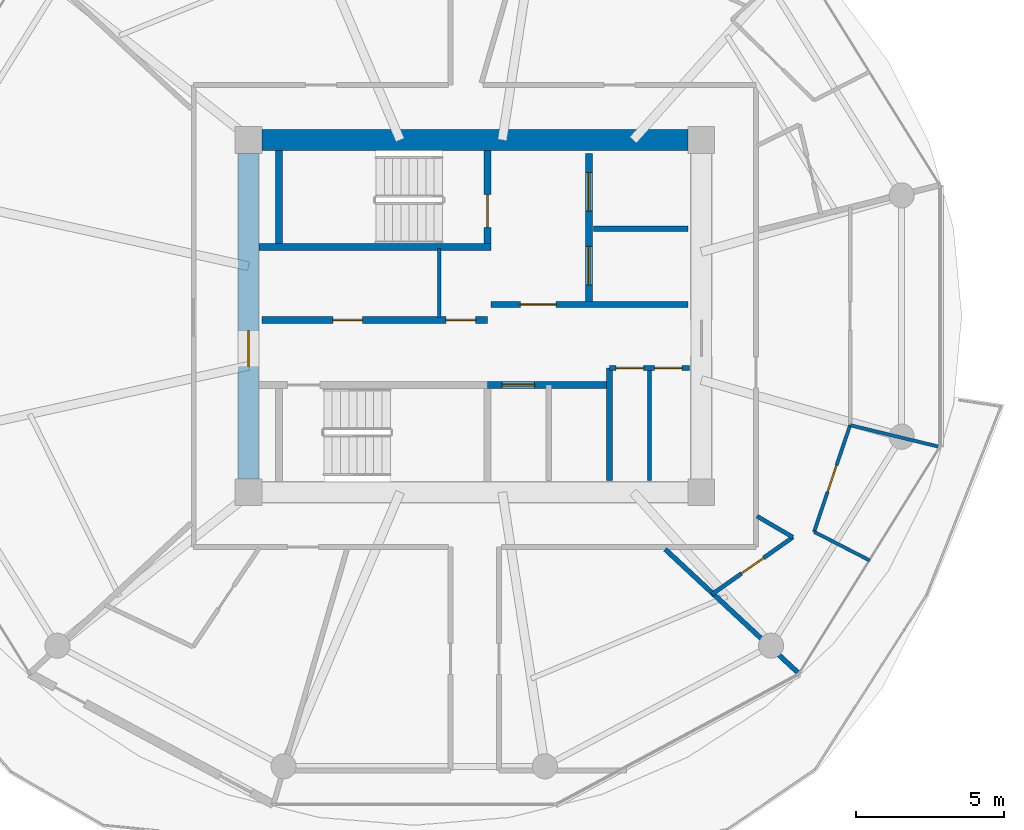
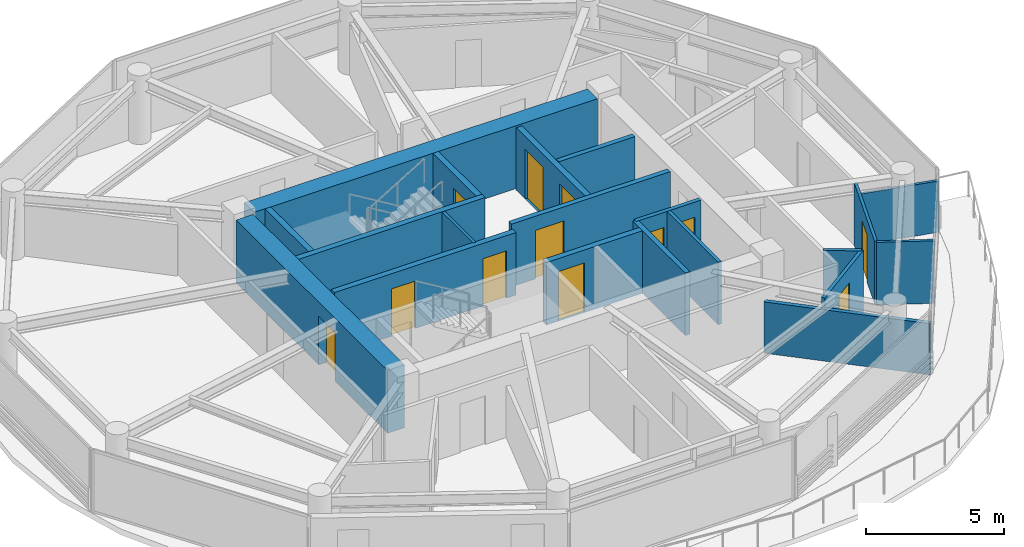
# One storey, part 16 of 24: 20 walls, 12 doors, 12 openings.
"""IFC4 building model written with IfcOpenShell, lengths in metres."""

from ifc_helpers import new_model, si_unit, direction, frame, frame_2d, origin, place, context, subcontext, project, spatial, rectangle, extrude, source, transform, mapped, material, layer, layer_set, type_object, type_shapes, element, fill, save


model = new_model("IFC4")

# Units and contexts
model_context = context("Model", 3, precision=1e-05, world=origin(), true_north=direction((0.0, 1.0)))
body_context = subcontext(model_context, "Body", "Model", "MODEL_VIEW")
ifc_project = project(units=[si_unit("LENGTHUNIT", "METRE"), si_unit("AREAUNIT", "SQUARE_METRE"), si_unit("VOLUMEUNIT", "CUBIC_METRE"), si_unit("PLANEANGLEUNIT", "RADIAN"), si_unit("MASSUNIT", "GRAM", prefix="KILO")], contexts=[model_context])

# Site, building, storey
site_placement = place(None, origin())
site = spatial("IfcSite", under=ifc_project, at=site_placement, CompositionType="ELEMENT")
building_placement = place(site_placement, origin())
building = spatial("IfcBuilding", under=site, at=building_placement, Name="Norrkilde Senior Care Towers", CompositionType="ELEMENT")
storey_placement = place(building_placement, frame((0.0, 0.0, 90.14990234375)))
storey = spatial("IfcBuildingStorey", under=building, at=storey_placement, Name="L27", CompositionType="ELEMENT", Elevation=90.14990234375)

# Wall
ifc_material_1 = material(Name="Concrete C60/75", Category="concrete")
ifc_layer_1 = layer(ifc_material_1, 0.719970703125)
ifc_layer_set_1 = layer_set([ifc_layer_1], Name="Concrete C60/75")
wall_type_1 = type_object("IfcWallType", Name="Core Shear Wall Z2 720", PredefinedType="SHEAR", material=ifc_layer_set_1)
shared_shape_1 = source(origin(), body_context, "Body", "SweptSolid", [
    extrude(rectangle(XDim=14.39990234375, YDim=0.719970703125, at=frame_2d((7.199951171875, 0.0))), origin(), (0.0, 0.0, 1.0), 2.7900390625),
])
wall_1_placement = place(storey_placement, frame((20.800048828125, 5.949951171875, 0.0), z_axis=(0.0, 0.0, 1.0), x_axis=(1.0, 0.0, 0.0)))
element("IfcWall", 1, at=wall_1_placement, inside=storey, type_object=wall_type_1, Name="L27 Core E North Shear Wall", PredefinedType="SHEAR", context=body_context, shape_type="MappedRepresentation", body=[
    mapped(shared_shape_1, transform((0.0, 0.0, 0.0), x_axis=(1.0, 0.0, 0.0), y_axis=(0.0, 1.0, 0.0), z_axis=(0.0, 0.0, 1.0), scale=1.0)),
])

# Wall, opening, door
shared_shape_2 = source(origin(), body_context, "Body", "SweptSolid", [
    extrude(rectangle(XDim=11.0, YDim=0.719970703125, at=frame_2d((5.5, 0.0))), origin(), (0.0, 0.0, 1.0), 2.7900390625),
])
type_shapes(wall_type_1, [shared_shape_1, shared_shape_2])
wall_2_placement = place(storey_placement, frame((20.35009765625, -5.5, 0.0), z_axis=(0.0, 0.0, 1.0), x_axis=(0.0, 1.0, 0.0)))
wall_2 = element("IfcWall", 2, at=wall_2_placement, inside=storey, type_object=wall_type_1, Name="L27 Core E West Shear Wall", PredefinedType="SHEAR", context=body_context, shape_type="MappedRepresentation", body=[
    mapped(shared_shape_2, transform((0.0, 0.0, 0.0), x_axis=(1.0, 0.0, 0.0), y_axis=(0.0, 1.0, 0.0), z_axis=(0.0, 0.0, 1.0), scale=1.0)),
])
opening_1_placement = place(wall_2_placement, frame((3.800048828125, 0.0, 0.0)))
opening_1 = element("IfcOpeningElement", 3, at=opening_1_placement, cuts=wall_2, Name="Opening D-04", PredefinedType="OPENING", context=body_context, shape_type="SweptSolid", body=[
    extrude(rectangle(XDim=1.199951171875, YDim=2.14990234375, at=frame_2d((0.60009765625, 1.074951171875))), frame((0.0, 0.369873046875, 0.0), z_axis=(0.0, -1.0, 0.0), x_axis=(1.0, 0.0, 0.0)), (0.0, 0.0, 1.0), 0.739990234375),
])
ifc_material_2 = material(Name="Galvanised Painted Steel", Category="steel")
door_type_1 = type_object("IfcDoorType", Name="Firefighting Lobby Fire Door 1200x2150", OperationType="NOTDEFINED", PredefinedType="DOOR", material=ifc_material_2)
shared_shape_3 = source(origin(), body_context, "Body", "SweptSolid", [
    extrude(rectangle(XDim=1.199951171875, YDim=2.14990234375, at=frame_2d((0.60009765625, 1.074951171875))), frame((0.0, 0.02490234375, 0.0), z_axis=(0.0, -1.0, 0.0), x_axis=(1.0, 0.0, 0.0)), (0.0, 0.0, 1.0), 0.050048828125),
])
type_shapes(door_type_1, [shared_shape_3])
door_1_placement = place(opening_1_placement, frame((1.199951171875, 0.0, 0.0), z_axis=(0.0, 0.0, 1.0), x_axis=(-1.0, 0.0, 0.0)))
door_1 = element("IfcDoor", 4, at=door_1_placement, inside=storey, type_object=door_type_1, Name="L27 Core E West Portal Door", OperationType="SINGLE_SWING_LEFT", OverallHeight=2.14990234375, OverallWidth=1.199951171875, PredefinedType="DOOR", context=body_context, shape_type="MappedRepresentation", body=[
    mapped(shared_shape_3, transform((0.0, 0.0, 0.0), x_axis=(1.0, 0.0, 0.0), y_axis=(0.0, 1.0, 0.0), z_axis=(0.0, 0.0, 1.0), scale=1.0)),
])
fill(opening_1, door_1)

# Wall, openings, doors
ifc_material_3 = material(Name="Concrete C45/55", Category="concrete")
ifc_layer_2 = layer(ifc_material_3, 0.239990234375)
ifc_layer_set_2 = layer_set([ifc_layer_2], Name="Concrete C45/55")
wall_type_2 = type_object("IfcWallType", Name="Lift and Plant Rated Enclosure Partition 240", PredefinedType="PARTITIONING", material=ifc_layer_set_2)
shared_shape_4 = source(origin(), body_context, "Body", "SweptSolid", [
    extrude(rectangle(XDim=5.0, YDim=0.239990234375, at=frame_2d((2.5, 0.0))), origin(), (0.0, 0.0, 1.0), 2.775146484375),
])
wall_3_placement = place(storey_placement, frame((31.860107421875, 0.5, 0.0), z_axis=(0.0, 0.0, 1.0), x_axis=(0.0, 1.0, 0.0)))
wall_3 = element("IfcWall", 5, at=wall_3_placement, inside=storey, type_object=wall_type_2, Name="WL-INT-L27-E-FFLE", PredefinedType="PARTITIONING", context=body_context, shape_type="MappedRepresentation", body=[
    mapped(shared_shape_4, transform((0.0, 0.0, 0.0), x_axis=(1.0, 0.0, 0.0), y_axis=(0.0, 1.0, 0.0), z_axis=(0.0, 0.0, 1.0), scale=1.0)),
])
opening_2_placement = place(wall_3_placement, frame((3.050048828125, 0.0, 0.0)))
opening_2 = element("IfcOpeningElement", 6, at=opening_2_placement, cuts=wall_3, Name="Opening LD-02", PredefinedType="OPENING", context=body_context, shape_type="SweptSolid", body=[
    extrude(rectangle(XDim=1.300048828125, YDim=2.199951171875, at=frame_2d((0.64990234375, 1.10009765625))), frame((0.0, 0.1298828125, 0.0), z_axis=(0.0, -1.0, 0.0), x_axis=(1.0, 0.0, 0.0)), (0.0, 0.0, 1.0), 0.260009765625),
])
opening_3_placement = place(wall_3_placement, frame((0.550048828125, 0.0, 0.0)))
opening_3 = element("IfcOpeningElement", 7, at=opening_3_placement, cuts=wall_3, Name="Opening LD-02", PredefinedType="OPENING", context=body_context, shape_type="SweptSolid", body=[
    extrude(rectangle(XDim=1.300048828125, YDim=2.199951171875, at=frame_2d((0.64990234375, 1.10009765625))), frame((0.0, 0.1298828125, 0.0), z_axis=(0.0, -1.0, 0.0), x_axis=(1.0, 0.0, 0.0)), (0.0, 0.0, 1.0), 0.260009765625),
])
ifc_material_4 = material(Name="Stainless Steel", Category="steel")
door_type_2 = type_object("IfcDoorType", Name="Stretcher and FFL Landing Sliding Door 1300x2200", OperationType="NOTDEFINED", PredefinedType="DOOR", material=ifc_material_4)
shared_shape_5 = source(origin(), body_context, "Body", "SweptSolid", [
    extrude(rectangle(XDim=1.300048828125, YDim=2.199951171875, at=frame_2d((0.64990234375, 1.10009765625))), frame((0.0, 0.02490234375, 0.0), z_axis=(0.0, -1.0, 0.0), x_axis=(1.0, 0.0, 0.0)), (0.0, 0.0, 1.0), 0.050048828125),
])
type_shapes(door_type_2, [shared_shape_5])
door_2_placement = place(opening_2_placement, origin())
door_2 = element("IfcDoor", 8, at=door_2_placement, inside=storey, type_object=door_type_2, Name="L27 Firefighting Lift E1 Landing Door", OperationType="SLIDING_TO_LEFT", OverallHeight=2.199951171875, OverallWidth=1.300048828125, PredefinedType="DOOR", context=body_context, shape_type="MappedRepresentation", body=[
    mapped(shared_shape_5, transform((0.0, 0.0, 0.0), x_axis=(1.0, 0.0, 0.0), y_axis=(0.0, 1.0, 0.0), z_axis=(0.0, 0.0, 1.0), scale=1.0)),
])
fill(opening_2, door_2)
door_3_placement = place(opening_3_placement, origin())
door_3 = element("IfcDoor", 9, at=door_3_placement, inside=storey, type_object=door_type_2, Name="L27 Stretcher Lift E1 Landing Door", OperationType="SLIDING_TO_RIGHT", OverallHeight=2.199951171875, OverallWidth=1.300048828125, PredefinedType="DOOR", context=body_context, shape_type="MappedRepresentation", body=[
    mapped(shared_shape_5, transform((0.0, 0.0, 0.0), x_axis=(1.0, 0.0, 0.0), y_axis=(0.0, 1.0, 0.0), z_axis=(0.0, 0.0, 1.0), scale=1.0)),
])
fill(opening_3, door_3)

# Wall
ifc_layer_3 = layer(ifc_material_3, 0.199951171875)
ifc_layer_set_3 = layer_set([ifc_layer_3], Name="Concrete C45/55")
wall_type_3 = type_object("IfcWallType", Name="Shaft Division and Plant Partition 200", PredefinedType="PARTITIONING", material=ifc_layer_set_3)
shared_shape_6 = source(origin(), body_context, "Body", "SweptSolid", [
    extrude(rectangle(XDim=3.199951171875, YDim=0.199951171875, at=frame_2d((1.60009765625, 0.0))), origin(), (0.0, 0.0, 1.0), 2.775146484375),
])
wall_4_placement = place(storey_placement, frame((32.0, 2.949951171875, 0.0), z_axis=(0.0, 0.0, 1.0), x_axis=(1.0, 0.0, 0.0)))
element("IfcWall", 10, at=wall_4_placement, inside=storey, type_object=wall_type_3, Name="WL-INT-L27-E-FFLDIV", PredefinedType="PARTITIONING", context=body_context, shape_type="MappedRepresentation", body=[
    mapped(shared_shape_6, transform((0.0, 0.0, 0.0), x_axis=(1.0, 0.0, 0.0), y_axis=(0.0, 1.0, 0.0), z_axis=(0.0, 0.0, 1.0), scale=1.0)),
])

# Wall, opening, door
ifc_layer_4 = layer(ifc_material_3, 0.2099609375)
ifc_layer_set_4 = layer_set([ifc_layer_4], Name="Concrete C45/55")
wall_type_4 = type_object("IfcWallType", Name="Firefighting Lobby Wall 210", PredefinedType="PARTITIONING", material=ifc_layer_set_4)
shared_shape_7 = source(origin(), body_context, "Body", "SweptSolid", [
    extrude(rectangle(XDim=6.659912109375, YDim=0.2099609375, at=frame_2d((3.330078125, 0.0))), origin(), (0.0, 0.0, 1.0), 2.775146484375),
])
type_shapes(wall_type_4, [shared_shape_7])
wall_5_placement = place(storey_placement, frame((28.5400390625, 0.389892578125, 0.0), z_axis=(0.0, 0.0, 1.0), x_axis=(1.0, 0.0, 0.0)))
wall_5 = element("IfcWall", 11, at=wall_5_placement, inside=storey, type_object=wall_type_4, Name="WL-INT-L27-E-FFLS", PredefinedType="PARTITIONING", context=body_context, shape_type="MappedRepresentation", body=[
    mapped(shared_shape_7, transform((0.0, 0.0, 0.0), x_axis=(1.0, 0.0, 0.0), y_axis=(0.0, 1.0, 0.0), z_axis=(0.0, 0.0, 1.0), scale=1.0)),
])
opening_4_placement = place(wall_5_placement, frame((1.0, 0.0, 0.0)))
opening_4 = element("IfcOpeningElement", 12, at=opening_4_placement, cuts=wall_5, Name="Opening D-04", PredefinedType="OPENING", context=body_context, shape_type="SweptSolid", body=[
    extrude(rectangle(XDim=1.199951171875, YDim=2.14990234375, at=frame_2d((0.60009765625, 1.074951171875))), frame((0.0, 0.114990234375, 0.0), z_axis=(0.0, -1.0, 0.0), x_axis=(1.0, 0.0, 0.0)), (0.0, 0.0, 1.0), 0.22998046875),
])
door_4_placement = place(opening_4_placement, frame((1.199951171875, 0.0, 0.0), z_axis=(0.0, 0.0, 1.0), x_axis=(-1.0, 0.0, 0.0)))
door_4 = element("IfcDoor", 13, at=door_4_placement, inside=storey, type_object=door_type_1, Name="L27 Firefighting Lobby E Door", OperationType="SINGLE_SWING_LEFT", OverallHeight=2.14990234375, OverallWidth=1.199951171875, PredefinedType="DOOR", context=body_context, shape_type="MappedRepresentation", body=[
    mapped(shared_shape_3, transform((0.0, 0.0, 0.0), x_axis=(1.0, 0.0, 0.0), y_axis=(0.0, 1.0, 0.0), z_axis=(0.0, 0.0, 1.0), scale=1.0)),
])
fill(opening_4, door_4)

# Wall, openings, doors
shared_shape_8 = source(origin(), body_context, "Body", "SweptSolid", [
    extrude(rectangle(XDim=7.619873046875, YDim=0.239990234375, at=frame_2d((3.81005859375, 0.0))), origin(), (0.0, 0.0, 1.0), 2.775146484375),
])
wall_6_placement = place(storey_placement, frame((20.800048828125, -0.1298828125, 0.0), z_axis=(0.0, 0.0, 1.0), x_axis=(1.0, 0.0, 0.0)))
wall_6 = element("IfcWall", 14, at=wall_6_placement, inside=storey, type_object=wall_type_2, Name="WL-INT-L27-E-PKAS", PredefinedType="PARTITIONING", context=body_context, shape_type="MappedRepresentation", body=[
    mapped(shared_shape_8, transform((0.0, 0.0, 0.0), x_axis=(1.0, 0.0, 0.0), y_axis=(0.0, 1.0, 0.0), z_axis=(0.0, 0.0, 1.0), scale=1.0)),
])
opening_5_placement = place(wall_6_placement, frame((6.219970703125, 0.0, 0.0)))
opening_5 = element("IfcOpeningElement", 15, at=opening_5_placement, cuts=wall_6, Name="Opening D-10", PredefinedType="OPENING", context=body_context, shape_type="SweptSolid", body=[
    extrude(rectangle(XDim=1.0, YDim=2.10009765625, at=frame_2d((0.5, 1.050048828125))), frame((0.0, 0.1298828125, 0.0), z_axis=(0.0, -1.0, 0.0), x_axis=(1.0, 0.0, 0.0)), (0.0, 0.0, 1.0), 0.260009765625),
])
opening_6_placement = place(wall_6_placement, frame((2.39990234375, 0.0, 0.0)))
opening_6 = element("IfcOpeningElement", 16, at=opening_6_placement, cuts=wall_6, Name="Opening D-10", PredefinedType="OPENING", context=body_context, shape_type="SweptSolid", body=[
    extrude(rectangle(XDim=1.0, YDim=2.10009765625, at=frame_2d((0.5, 1.050048828125))), frame((0.0, 0.1298828125, 0.0), z_axis=(0.0, -1.0, 0.0), x_axis=(1.0, 0.0, 0.0)), (0.0, 0.0, 1.0), 0.260009765625),
])
door_type_3 = type_object("IfcDoorType", Name="Plant and Riser Rated Door 1000x2100", OperationType="NOTDEFINED", PredefinedType="DOOR", material=ifc_material_2)
shared_shape_9 = source(origin(), body_context, "Body", "SweptSolid", [
    extrude(rectangle(XDim=1.0, YDim=2.10009765625, at=frame_2d((0.5, 1.050048828125))), frame((0.0, 0.02490234375, 0.0), z_axis=(0.0, -1.0, 0.0), x_axis=(1.0, 0.0, 0.0)), (0.0, 0.0, 1.0), 0.050048828125),
])
type_shapes(door_type_3, [shared_shape_9])
door_5_placement = place(opening_5_placement, frame((1.0, 0.0, 0.0), z_axis=(0.0, 0.0, 1.0), x_axis=(-1.0, 0.0, 0.0)))
door_5 = element("IfcDoor", 17, at=door_5_placement, inside=storey, type_object=door_type_3, Name="L27 Electrical Riser E Door", OperationType="SINGLE_SWING_LEFT", OverallHeight=2.10009765625, OverallWidth=1.0, PredefinedType="DOOR", context=body_context, shape_type="MappedRepresentation", body=[
    mapped(shared_shape_9, transform((0.0, 0.0, 0.0), x_axis=(1.0, 0.0, 0.0), y_axis=(0.0, 1.0, 0.0), z_axis=(0.0, 0.0, 1.0), scale=1.0)),
])
fill(opening_5, door_5)
door_6_placement = place(opening_6_placement, frame((1.0, 0.0, 0.0), z_axis=(0.0, 0.0, 1.0), x_axis=(-1.0, 0.0, 0.0)))
door_6 = element("IfcDoor", 18, at=door_6_placement, inside=storey, type_object=door_type_3, Name="L27 Clean Supply Store E Door", OperationType="SINGLE_SWING_LEFT", OverallHeight=2.10009765625, OverallWidth=1.0, PredefinedType="DOOR", context=body_context, shape_type="MappedRepresentation", body=[
    mapped(shared_shape_9, transform((0.0, 0.0, 0.0), x_axis=(1.0, 0.0, 0.0), y_axis=(0.0, 1.0, 0.0), z_axis=(0.0, 0.0, 1.0), scale=1.0)),
])
fill(opening_6, door_6)

# Walls
ifc_material_5 = material(Name="Gypsum Acoustic Board")
ifc_layer_5 = layer(ifc_material_5, 0.114990234375)
ifc_layer_set_5 = layer_set([ifc_layer_5], Name="Gypsum Acoustic Board")
wall_type_5 = type_object("IfcWallType", Name="Internal Room Partition 115", PredefinedType="PARTITIONING", material=ifc_layer_set_5)
shared_shape_10 = source(origin(), body_context, "Body", "SweptSolid", [
    extrude(rectangle(XDim=2.330078125, YDim=0.114990234375, at=frame_2d((1.1650390625, 0.0))), origin(), (0.0, 0.0, 1.0), 2.775146484375),
])
wall_7_placement = place(storey_placement, frame((26.7900390625, -0.050048828125, 0.0), z_axis=(0.0, 0.0, 1.0), x_axis=(0.0, 1.0, 0.0)))
element("IfcWall", 19, at=wall_7_placement, inside=storey, type_object=wall_type_5, Name="WL-INT-L27-E-RISW", PredefinedType="PARTITIONING", context=body_context, shape_type="MappedRepresentation", body=[
    mapped(shared_shape_10, transform((0.0, 0.0, 0.0), x_axis=(1.0, 0.0, 0.0), y_axis=(0.0, 1.0, 0.0), z_axis=(0.0, 0.0, 1.0), scale=1.0)),
])
shared_shape_11 = source(origin(), body_context, "Body", "SweptSolid", [
    extrude(rectangle(XDim=3.800048828125, YDim=0.199951171875, at=frame_2d((1.89990234375, 0.0))), origin(), (0.0, 0.0, 1.0), 2.775146484375),
])
type_shapes(wall_type_3, [shared_shape_6, shared_shape_11])
wall_8_placement = place(storey_placement, frame((32.550048828125, -5.550048828125, 0.0), z_axis=(0.0, 0.0, 1.0), x_axis=(0.0, 1.0, 0.0)))
element("IfcWall", 20, at=wall_8_placement, inside=storey, type_object=wall_type_3, Name="WL-INT-L27-E-PKBE", PredefinedType="PARTITIONING", context=body_context, shape_type="MappedRepresentation", body=[
    mapped(shared_shape_11, transform((0.0, 0.0, 0.0), x_axis=(1.0, 0.0, 0.0), y_axis=(0.0, 1.0, 0.0), z_axis=(0.0, 0.0, 1.0), scale=1.0)),
])

# Wall, opening, door
shared_shape_12 = source(origin(), body_context, "Body", "SweptSolid", [
    extrude(rectangle(XDim=4.130126953125, YDim=0.239990234375, at=frame_2d((2.06494140625, 0.0))), origin(), (0.0, 0.0, 1.0), 2.775146484375),
])
type_shapes(wall_type_2, [shared_shape_4, shared_shape_8, shared_shape_12])
wall_9_placement = place(storey_placement, frame((28.419921875, -2.330078125, 0.0), z_axis=(0.0, 0.0, 1.0), x_axis=(1.0, 0.0, 0.0)))
wall_9 = element("IfcWall", 21, at=wall_9_placement, inside=storey, type_object=wall_type_2, Name="WL-INT-L27-E-PKBN", PredefinedType="PARTITIONING", context=body_context, shape_type="MappedRepresentation", body=[
    mapped(shared_shape_12, transform((0.0, 0.0, 0.0), x_axis=(1.0, 0.0, 0.0), y_axis=(0.0, 1.0, 0.0), z_axis=(0.0, 0.0, 1.0), scale=1.0)),
])
opening_7_placement = place(wall_9_placement, frame((0.5, 0.0, 0.0)))
opening_7 = element("IfcOpeningElement", 22, at=opening_7_placement, cuts=wall_9, Name="Opening LD-01", PredefinedType="OPENING", context=body_context, shape_type="SweptSolid", body=[
    extrude(rectangle(XDim=1.10009765625, YDim=2.199951171875, at=frame_2d((0.550048828125, 1.10009765625))), frame((0.0, 0.1298828125, 0.0), z_axis=(0.0, -1.0, 0.0), x_axis=(1.0, 0.0, 0.0)), (0.0, 0.0, 1.0), 0.260009765625),
])
door_type_4 = type_object("IfcDoorType", Name="Lift Landing Sliding Door 1100x2200", OperationType="NOTDEFINED", PredefinedType="DOOR", material=ifc_material_4)
shared_shape_13 = source(origin(), body_context, "Body", "SweptSolid", [
    extrude(rectangle(XDim=1.10009765625, YDim=2.199951171875, at=frame_2d((0.550048828125, 1.10009765625))), frame((0.0, 0.02490234375, 0.0), z_axis=(0.0, -1.0, 0.0), x_axis=(1.0, 0.0, 0.0)), (0.0, 0.0, 1.0), 0.050048828125),
])
type_shapes(door_type_4, [shared_shape_13])
door_7_placement = place(opening_7_placement, frame((1.10009765625, 0.0, 0.0), z_axis=(0.0, 0.0, 1.0), x_axis=(-1.0, 0.0, 0.0)))
door_7 = element("IfcDoor", 23, at=door_7_placement, inside=storey, type_object=door_type_4, Name="L27 Passenger Lift E3 Landing Door", OperationType="SLIDING_TO_LEFT", OverallHeight=2.199951171875, OverallWidth=1.10009765625, PredefinedType="DOOR", context=body_context, shape_type="MappedRepresentation", body=[
    mapped(shared_shape_13, transform((0.0, 0.0, 0.0), x_axis=(1.0, 0.0, 0.0), y_axis=(0.0, 1.0, 0.0), z_axis=(0.0, 0.0, 1.0), scale=1.0)),
])
fill(opening_7, door_7)

# Wall, openings, doors
ifc_layer_6 = layer(ifc_material_5, 0.1650390625)
ifc_layer_set_6 = layer_set([ifc_layer_6], Name="Gypsum Acoustic Board")
wall_type_6 = type_object("IfcWallType", Name="Corridor Rated Partition 165", PredefinedType="PARTITIONING", material=ifc_layer_set_6)
shared_shape_14 = source(origin(), body_context, "Body", "SweptSolid", [
    extrude(rectangle(XDim=2.699951171875, YDim=0.1650390625, at=frame_2d((1.35009765625, 0.0))), origin(), (0.0, 0.0, 1.0), 2.775146484375),
])
wall_10_placement = place(storey_placement, frame((32.550048828125, -1.75, 0.0), z_axis=(0.0, 0.0, 1.0), x_axis=(1.0, 0.0, 0.0)))
wall_10 = element("IfcWall", 24, at=wall_10_placement, inside=storey, type_object=wall_type_6, Name="WL-INT-L27-E-CSN", PredefinedType="PARTITIONING", context=body_context, shape_type="MappedRepresentation", body=[
    mapped(shared_shape_14, transform((0.0, 0.0, 0.0), x_axis=(1.0, 0.0, 0.0), y_axis=(0.0, 1.0, 0.0), z_axis=(0.0, 0.0, 1.0), scale=1.0)),
])
opening_8_placement = place(wall_10_placement, frame((0.222412109375, 0.0, 0.0)))
opening_8 = element("IfcOpeningElement", 25, at=opening_8_placement, cuts=wall_10, Name="Opening D-12", PredefinedType="OPENING", context=body_context, shape_type="SweptSolid", body=[
    extrude(rectangle(XDim=0.925048828125, YDim=2.10009765625, at=frame_2d((0.46240234375, 1.050048828125))), frame((0.0, 0.092529296875, 0.0), z_axis=(0.0, -1.0, 0.0), x_axis=(1.0, 0.0, 0.0)), (0.0, 0.0, 1.0), 0.18505859375),
])
opening_9_placement = place(wall_10_placement, frame((1.5224609375, 0.0, 0.0)))
opening_9 = element("IfcOpeningElement", 26, at=opening_9_placement, cuts=wall_10, Name="Opening D-12", PredefinedType="OPENING", context=body_context, shape_type="SweptSolid", body=[
    extrude(rectangle(XDim=0.925048828125, YDim=2.10009765625, at=frame_2d((0.46240234375, 1.050048828125))), frame((0.0, 0.092529296875, 0.0), z_axis=(0.0, -1.0, 0.0), x_axis=(1.0, 0.0, 0.0)), (0.0, 0.0, 1.0), 0.18505859375),
])
door_type_5 = type_object("IfcDoorType", Name="Core Wet Room Rated Door 925x2100", OperationType="NOTDEFINED", PredefinedType="DOOR", material=ifc_material_2)
shared_shape_15 = source(origin(), body_context, "Body", "SweptSolid", [
    extrude(rectangle(XDim=0.925048828125, YDim=2.10009765625, at=frame_2d((0.46240234375, 1.050048828125))), frame((0.0, 0.02490234375, 0.0), z_axis=(0.0, -1.0, 0.0), x_axis=(1.0, 0.0, 0.0)), (0.0, 0.0, 1.0), 0.050048828125),
])
type_shapes(door_type_5, [shared_shape_15])
door_8_placement = place(opening_8_placement, origin())
door_8 = element("IfcDoor", 27, at=door_8_placement, inside=storey, type_object=door_type_5, Name="L27 Staff Accessible WC E Door", OperationType="SINGLE_SWING_LEFT", OverallHeight=2.10009765625, OverallWidth=0.925048828125, PredefinedType="DOOR", context=body_context, shape_type="MappedRepresentation", body=[
    mapped(shared_shape_15, transform((0.0, 0.0, 0.0), x_axis=(1.0, 0.0, 0.0), y_axis=(0.0, 1.0, 0.0), z_axis=(0.0, 0.0, 1.0), scale=1.0)),
])
fill(opening_8, door_8)
door_9_placement = place(opening_9_placement, origin())
door_9 = element("IfcDoor", 28, at=door_9_placement, inside=storey, type_object=door_type_5, Name="L27 Housekeeping Store E Door", OperationType="SINGLE_SWING_RIGHT", OverallHeight=2.10009765625, OverallWidth=0.925048828125, PredefinedType="DOOR", context=body_context, shape_type="MappedRepresentation", body=[
    mapped(shared_shape_15, transform((0.0, 0.0, 0.0), x_axis=(1.0, 0.0, 0.0), y_axis=(0.0, 1.0, 0.0), z_axis=(0.0, 0.0, 1.0), scale=1.0)),
])
fill(opening_9, door_9)

# Walls
ifc_layer_7 = layer(ifc_material_3, 0.239990234375)
ifc_layer_set_7 = layer_set([ifc_layer_7], Name="Concrete C45/55")
wall_type_7 = type_object("IfcWallType", Name="Shaft and Stair Enclosure Wall 240", PredefinedType="PARTITIONING", material=ifc_layer_set_7)
shared_shape_16 = source(origin(), body_context, "Body", "SweptSolid", [
    extrude(rectangle(XDim=7.830078125, YDim=0.239990234375, at=frame_2d((3.9150390625, 0.0))), origin(), (0.0, 0.0, 1.0), 2.7900390625),
])
wall_11_placement = place(storey_placement, frame((20.7099609375, 2.330078125, 0.0), z_axis=(0.0, 0.0, 1.0), x_axis=(1.0, 0.0, 0.0)))
element("IfcWall", 29, at=wall_11_placement, inside=storey, type_object=wall_type_7, Name="WL-INT-L27-E-ST1S", PredefinedType="PARTITIONING", context=body_context, shape_type="MappedRepresentation", body=[
    mapped(shared_shape_16, transform((0.0, 0.0, 0.0), x_axis=(1.0, 0.0, 0.0), y_axis=(0.0, 1.0, 0.0), z_axis=(0.0, 0.0, 1.0), scale=1.0)),
])
shared_shape_17 = source(origin(), body_context, "Body", "SweptSolid", [
    extrude(rectangle(XDim=3.14013671875, YDim=0.239990234375, at=frame_2d((1.570068359375, 0.0))), origin(), (0.0, 0.0, 1.0), 2.7900390625),
])
type_shapes(wall_type_7, [shared_shape_16, shared_shape_17])
wall_12_placement = place(storey_placement, frame((21.3798828125, 2.449951171875, 0.0), z_axis=(0.0, 0.0, 1.0), x_axis=(0.0, 1.0, 0.0)))
element("IfcWall", 30, at=wall_12_placement, inside=storey, type_object=wall_type_7, Name="WL-INT-L27-E-ST1W", PredefinedType="PARTITIONING", context=body_context, shape_type="MappedRepresentation", body=[
    mapped(shared_shape_17, transform((0.0, 0.0, 0.0), x_axis=(1.0, 0.0, 0.0), y_axis=(0.0, 1.0, 0.0), z_axis=(0.0, 0.0, 1.0), scale=1.0)),
])

# Wall, opening, door
wall_13_placement = place(storey_placement, frame((28.419921875, 2.449951171875, 0.0), z_axis=(0.0, 0.0, 1.0), x_axis=(0.0, 1.0, 0.0)))
wall_13 = element("IfcWall", 31, at=wall_13_placement, inside=storey, type_object=wall_type_7, Name="WL-INT-L27-E-ST1E", PredefinedType="PARTITIONING", context=body_context, shape_type="MappedRepresentation", body=[
    mapped(shared_shape_17, transform((0.0, 0.0, 0.0), x_axis=(1.0, 0.0, 0.0), y_axis=(0.0, 1.0, 0.0), z_axis=(0.0, 0.0, 1.0), scale=1.0)),
])
opening_10_placement = place(wall_13_placement, frame((0.550048828125, 0.0, 0.0)))
opening_10 = element("IfcOpeningElement", 32, at=opening_10_placement, cuts=wall_13, Name="Opening D-03", PredefinedType="OPENING", context=body_context, shape_type="SweptSolid", body=[
    extrude(rectangle(XDim=1.10009765625, YDim=2.14990234375, at=frame_2d((0.550048828125, 1.074951171875))), frame((0.0, 0.1298828125, 0.0), z_axis=(0.0, -1.0, 0.0), x_axis=(1.0, 0.0, 0.0)), (0.0, 0.0, 1.0), 0.260009765625),
])
door_type_6 = type_object("IfcDoorType", Name="Stairwell Protected Fire Door 1100x2150", OperationType="NOTDEFINED", PredefinedType="DOOR", material=ifc_material_2)
shared_shape_18 = source(origin(), body_context, "Body", "SweptSolid", [
    extrude(rectangle(XDim=1.10009765625, YDim=2.14990234375, at=frame_2d((0.550048828125, 1.074951171875))), frame((0.0, 0.02490234375, 0.0), z_axis=(0.0, -1.0, 0.0), x_axis=(1.0, 0.0, 0.0)), (0.0, 0.0, 1.0), 0.050048828125),
])
type_shapes(door_type_6, [shared_shape_18])
door_10_placement = place(opening_10_placement, origin())
door_10 = element("IfcDoor", 33, at=door_10_placement, inside=storey, type_object=door_type_6, Name="L27 Stair E1 Fire Door", OperationType="SINGLE_SWING_LEFT", OverallHeight=2.14990234375, OverallWidth=1.10009765625, PredefinedType="DOOR", context=body_context, shape_type="MappedRepresentation", body=[
    mapped(shared_shape_18, transform((0.0, 0.0, 0.0), x_axis=(1.0, 0.0, 0.0), y_axis=(0.0, 1.0, 0.0), z_axis=(0.0, 0.0, 1.0), scale=1.0)),
])
fill(opening_10, door_10)

# Walls
ifc_layer_8 = layer(ifc_material_5, 0.139892578125)
ifc_layer_set_8 = layer_set([ifc_layer_8], Name="Gypsum Acoustic Board")
wall_type_8 = type_object("IfcWallType", Name="En-suite Wet Room Wall 140", PredefinedType="PARTITIONING", material=ifc_layer_set_8)
shared_shape_19 = source(origin(), body_context, "Body", "SweptSolid", [
    extrude(rectangle(XDim=1.407470703125, YDim=0.139892578125, at=frame_2d((0.70361328125, 0.0))), origin(), (0.0, 0.0, 1.0), 2.775146484375),
])
wall_14_placement = place(storey_placement, frame((37.530029296875, -6.761962890625, 0.0), z_axis=(0.0, 0.0, 1.0), x_axis=(0.863539718977, -0.504280828258, 0.0)))
element("IfcWall", 34, at=wall_14_placement, inside=storey, type_object=wall_type_8, Name="WL-INT-L27-E-UBTS-10", PredefinedType="PARTITIONING", context=body_context, shape_type="MappedRepresentation", body=[
    mapped(shared_shape_19, transform((0.0, 0.0, 0.0), x_axis=(1.0, 0.0, 0.0), y_axis=(0.0, 1.0, 0.0), z_axis=(0.0, 0.0, 1.0), scale=1.0)),
])
shared_shape_20 = source(origin(), body_context, "Body", "SweptSolid", [
    extrude(rectangle(XDim=3.800048828125, YDim=0.139892578125, at=frame_2d((1.89990234375, 0.0))), origin(), (0.0, 0.0, 1.0), 2.775146484375),
])
wall_15_placement = place(storey_placement, frame((33.89990234375, -5.550048828125, 0.0), z_axis=(0.0, 0.0, 1.0), x_axis=(0.0, 1.0, 0.0)))
element("IfcWall", 35, at=wall_15_placement, inside=storey, type_object=wall_type_8, Name="WL-INT-L27-E-CS1V", PredefinedType="PARTITIONING", context=body_context, shape_type="MappedRepresentation", body=[
    mapped(shared_shape_20, transform((0.0, 0.0, 0.0), x_axis=(1.0, 0.0, 0.0), y_axis=(0.0, 1.0, 0.0), z_axis=(0.0, 0.0, 1.0), scale=1.0)),
])
shared_shape_21 = source(origin(), body_context, "Body", "SweptSolid", [
    extrude(rectangle(XDim=6.186767578125, YDim=0.1650390625, at=frame_2d((3.09326171875, 0.0))), origin(), (0.0, 0.0, 1.0), 2.275146484375),
])
type_shapes(wall_type_6, [shared_shape_14, shared_shape_21])
wall_16_placement = place(storey_placement, frame((34.428955078125, -7.8798828125, 0.0), z_axis=(0.0, 0.0, 1.0), x_axis=(0.732501077882, -0.680765870841, 0.0)))
element("IfcWall", 36, at=wall_16_placement, inside=storey, type_object=wall_type_6, Name="WL-INT-L27-E-DEM-10-0", PredefinedType="PARTITIONING", context=body_context, shape_type="MappedRepresentation", body=[
    mapped(shared_shape_21, transform((0.0, 0.0, 0.0), x_axis=(1.0, 0.0, 0.0), y_axis=(0.0, 1.0, 0.0), z_axis=(0.0, 0.0, 1.0), scale=1.0)),
])
shared_shape_22 = source(origin(), body_context, "Body", "SweptSolid", [
    extrude(rectangle(XDim=3.13330078125, YDim=0.114990234375, at=frame_2d((1.566650390625, 0.0))), origin(), (0.0, 0.0, 1.0), 2.275146484375),
])
wall_17_placement = place(storey_placement, frame((40.677978515625, -3.687744140625, 0.0), z_axis=(0.0, 0.0, 1.0), x_axis=(0.971863619682, -0.235544273414, 0.0)))
element("IfcWall", 37, at=wall_17_placement, inside=storey, type_object=wall_type_5, Name="WL-INT-L27-E-UBR-10-1", PredefinedType="PARTITIONING", context=body_context, shape_type="MappedRepresentation", body=[
    mapped(shared_shape_22, transform((0.0, 0.0, 0.0), x_axis=(1.0, 0.0, 0.0), y_axis=(0.0, 1.0, 0.0), z_axis=(0.0, 0.0, 1.0), scale=1.0)),
])

# Wall, opening, door
shared_shape_23 = source(origin(), body_context, "Body", "SweptSolid", [
    extrude(rectangle(XDim=3.346923828125, YDim=0.139892578125, at=frame_2d((1.67333984375, 0.0))), origin(), (0.0, 0.0, 1.0), 2.775146484375),
])
type_shapes(wall_type_8, [shared_shape_19, shared_shape_20, shared_shape_23])
wall_18_placement = place(storey_placement, frame((38.745361328125, -7.4716796875, 0.0), z_axis=(0.0, 0.0, 1.0), x_axis=(-0.81705680263, -0.576557179537, 0.0)))
wall_18 = element("IfcWall", 38, at=wall_18_placement, inside=storey, type_object=wall_type_8, Name="WL-INT-L27-E-UBTF-10", PredefinedType="PARTITIONING", context=body_context, shape_type="MappedRepresentation", body=[
    mapped(shared_shape_23, transform((0.0, 0.0, 0.0), x_axis=(1.0, 0.0, 0.0), y_axis=(0.0, 1.0, 0.0), z_axis=(0.0, 0.0, 1.0), scale=1.0)),
])
opening_11_placement = place(wall_18_placement, frame((1.213623046875, 0.0, 0.0)))
opening_11 = element("IfcOpeningElement", 39, at=opening_11_placement, cuts=wall_18, Name="Opening D-08", PredefinedType="OPENING", context=body_context, shape_type="SweptSolid", body=[
    extrude(rectangle(XDim=0.919921875, YDim=2.10009765625, at=frame_2d((0.4599609375, 1.050048828125))), frame((0.0, 0.079833984375, 0.0), z_axis=(0.0, -1.0, 0.0), x_axis=(1.0, 0.0, 0.0)), (0.0, 0.0, 1.0), 0.159912109375),
])
ifc_material_6 = material(Name="Nordic Ash Timber", Category="wood")
door_type_7 = type_object("IfcDoorType", Name="Accessible Wet Room Door 920x2100", OperationType="NOTDEFINED", PredefinedType="DOOR", material=ifc_material_6)
shared_shape_24 = source(origin(), body_context, "Body", "SweptSolid", [
    extrude(rectangle(XDim=0.919921875, YDim=2.10009765625, at=frame_2d((0.4599609375, 1.050048828125))), frame((0.0, 0.02490234375, 0.0), z_axis=(0.0, -1.0, 0.0), x_axis=(1.0, 0.0, 0.0)), (0.0, 0.0, 1.0), 0.050048828125),
])
type_shapes(door_type_7, [shared_shape_24])
door_11_placement = place(opening_11_placement, origin())
door_11 = element("IfcDoor", 40, at=door_11_placement, inside=storey, type_object=door_type_7, Name="Apartment 27C Bathroom Door", OperationType="SINGLE_SWING_RIGHT", OverallHeight=2.10009765625, OverallWidth=0.919921875, PredefinedType="DOOR", context=body_context, shape_type="MappedRepresentation", body=[
    mapped(shared_shape_24, transform((0.0, 0.0, 0.0), x_axis=(1.0, 0.0, 0.0), y_axis=(0.0, 1.0, 0.0), z_axis=(0.0, 0.0, 1.0), scale=1.0)),
])
fill(opening_11, door_11)

# Wall
shared_shape_25 = source(origin(), body_context, "Body", "SweptSolid", [
    extrude(rectangle(XDim=2.1171875, YDim=0.114990234375, at=frame_2d((1.05859375, 0.0))), origin(), (0.0, 0.0, 1.0), 2.775146484375),
])
wall_19_placement = place(storey_placement, frame((39.459716796875, -7.288818359375, 0.0), z_axis=(0.0, 0.0, 1.0), x_axis=(0.888941834945, -0.45802010227, 0.0)))
element("IfcWall", 41, at=wall_19_placement, inside=storey, type_object=wall_type_5, Name="WL-INT-L27-E-UKTS-10", PredefinedType="PARTITIONING", context=body_context, shape_type="MappedRepresentation", body=[
    mapped(shared_shape_25, transform((0.0, 0.0, 0.0), x_axis=(1.0, 0.0, 0.0), y_axis=(0.0, 1.0, 0.0), z_axis=(0.0, 0.0, 1.0), scale=1.0)),
])

# Wall, opening, door
shared_shape_26 = source(origin(), body_context, "Body", "SweptSolid", [
    extrude(rectangle(XDim=3.80126953125, YDim=0.114990234375, at=frame_2d((1.900634765625, 0.0))), origin(), (0.0, 0.0, 1.0), 2.775146484375),
])
type_shapes(wall_type_5, [shared_shape_10, shared_shape_22, shared_shape_25, shared_shape_26])
wall_20_placement = place(storey_placement, frame((39.459716796875, -7.288818359375, 0.0), z_axis=(0.0, 0.0, 1.0), x_axis=(0.320097904666, 0.947384468644, 0.0)))
wall_20 = element("IfcWall", 42, at=wall_20_placement, inside=storey, type_object=wall_type_5, Name="WL-INT-L27-E-UKTF-10", PredefinedType="PARTITIONING", context=body_context, shape_type="MappedRepresentation", body=[
    mapped(shared_shape_26, transform((0.0, 0.0, 0.0), x_axis=(1.0, 0.0, 0.0), y_axis=(0.0, 1.0, 0.0), z_axis=(0.0, 0.0, 1.0), scale=1.0)),
])
opening_12_placement = place(wall_20_placement, frame((1.42578125, 0.0, 0.0)))
opening_12 = element("IfcOpeningElement", 43, at=opening_12_placement, cuts=wall_20, Name="Opening D-07", PredefinedType="OPENING", context=body_context, shape_type="SweptSolid", body=[
    extrude(rectangle(XDim=0.949951171875, YDim=2.10009765625, at=frame_2d((0.47509765625, 1.050048828125))), frame((0.0, 0.0673828125, 0.0), z_axis=(0.0, -1.0, 0.0), x_axis=(1.0, 0.0, 0.0)), (0.0, 0.0, 1.0), 0.135009765625),
])
door_type_8 = type_object("IfcDoorType", Name="Internal Suite Bedroom Door 950x2100", OperationType="NOTDEFINED", PredefinedType="DOOR", material=ifc_material_6)
shared_shape_27 = source(origin(), body_context, "Body", "SweptSolid", [
    extrude(rectangle(XDim=0.949951171875, YDim=2.10009765625, at=frame_2d((0.47509765625, 1.050048828125))), frame((0.0, 0.02490234375, 0.0), z_axis=(0.0, -1.0, 0.0), x_axis=(1.0, 0.0, 0.0)), (0.0, 0.0, 1.0), 0.050048828125),
])
type_shapes(door_type_8, [shared_shape_27])
door_12_placement = place(opening_12_placement, frame((0.949951171875, 0.0, 0.0), z_axis=(0.0, 0.0, 1.0), x_axis=(-1.0, 0.0, 0.0)))
door_12 = element("IfcDoor", 44, at=door_12_placement, inside=storey, type_object=door_type_8, Name="Apartment 27C Kitchen Door", OperationType="SINGLE_SWING_LEFT", OverallHeight=2.10009765625, OverallWidth=0.949951171875, PredefinedType="DOOR", context=body_context, shape_type="MappedRepresentation", body=[
    mapped(shared_shape_27, transform((0.0, 0.0, 0.0), x_axis=(1.0, 0.0, 0.0), y_axis=(0.0, 1.0, 0.0), z_axis=(0.0, 0.0, 1.0), scale=1.0)),
])
fill(opening_12, door_12)

save(model, "model.ifc")
